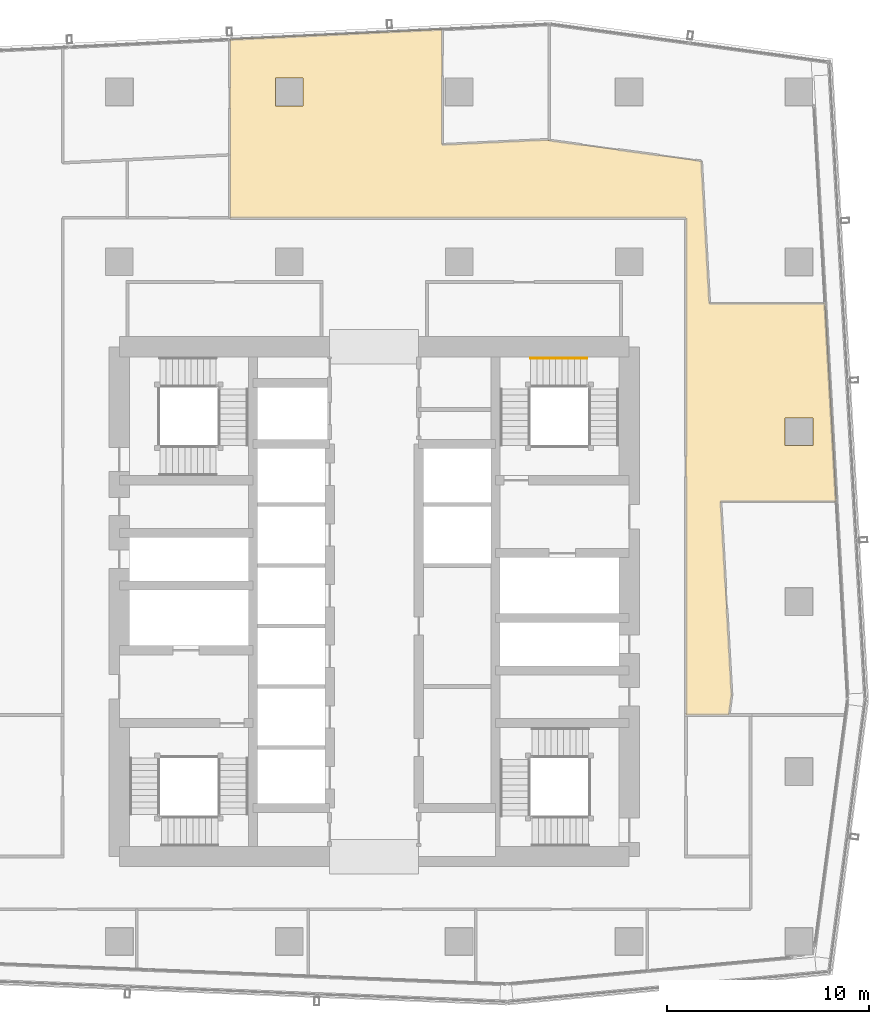
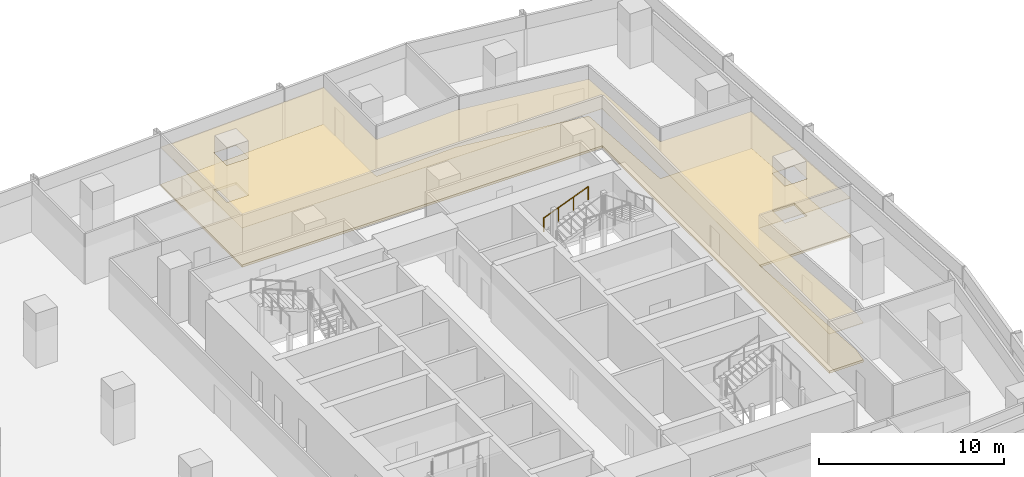
# One storey, part 38 of 40: 2 coverings, 1 railing.
"""IFC4 building model written with IfcOpenShell, lengths in metres."""

from ifc_helpers import new_model, si_unit, direction, frame, origin, origin_2d, place, context, subcontext, project, spatial, polyline, circle, outline, extrude, material, layer, layer_set, type_object, element, save


model = new_model("IFC4")

# Units and contexts
model_context = context("Model", 3, precision=1e-05, world=origin(), true_north=direction((0.0, 1.0)))
body_context = subcontext(model_context, "Body", "Model", "MODEL_VIEW")
ifc_project = project(units=[si_unit("LENGTHUNIT", "METRE"), si_unit("AREAUNIT", "SQUARE_METRE"), si_unit("VOLUMEUNIT", "CUBIC_METRE"), si_unit("PLANEANGLEUNIT", "RADIAN"), si_unit("MASSUNIT", "GRAM", prefix="KILO")], contexts=[model_context])

# Site, building, storey
site_placement = place(None, origin())
site = spatial("IfcSite", under=ifc_project, at=site_placement, CompositionType="ELEMENT")
building_placement = place(site_placement, origin())
building = spatial("IfcBuilding", under=site, at=building_placement, Name="Rekha Terrace Tower", CompositionType="ELEMENT")
storey_placement = place(building_placement, frame((0.0, 0.0, 210.199951171875)))
storey = spatial("IfcBuildingStorey", under=building, at=storey_placement, Name="L53", CompositionType="ELEMENT", Elevation=210.199951171875)

# Covering
ifc_material_1 = material(Name="Mineral fibre tile in exposed grid", Category="finish")
ifc_layer_1 = layer(ifc_material_1, 0.02001953125)
ifc_layer_set_1 = layer_set([ifc_layer_1], Name="Mineral fibre tile in exposed grid")
covering_type_1 = type_object("IfcCoveringType", Name="CL1 600x1200 office grid ceiling", PredefinedType="CEILING", material=ifc_layer_set_1)
covering_1_placement = place(storey_placement, frame((0.0, 0.0, 2.580078125)))
element("IfcCovering", 1, at=covering_1_placement, inside=storey, type_object=covering_type_1, Name="Ceiling L53-O1", PredefinedType="CEILING", context=body_context, shape_type="SweptSolid", body=[
    extrude(outline(polyline([(46.22900390625, 56.430908203125), (41.152099609375, 56.18798828125), (41.152099609375, 61.89404296875), (30.660888671875, 61.39306640625), (30.660888671875, 52.574951171875), (53.199951171875, 52.574951171875), (53.199951171875, 28.0009765625), (55.3330078125, 28.0009765625), (55.465087890625, 28.9951171875), (54.922119140625, 38.554931640625), (60.631103515625, 38.554931640625), (60.075927734375, 48.33203125), (54.366943359375, 48.33203125), (53.967041015625, 55.3779296875), (46.444091796875, 56.40087890625), (46.22900390625, 56.430908203125)]), holes=[polyline([(59.489990234375, 41.31005859375), (58.110107421875, 41.31005859375), (58.110107421875, 42.68994140625), (59.489990234375, 42.68994140625), (59.489990234375, 41.31005859375)]), polyline([(34.2900390625, 58.110107421875), (32.909912109375, 58.110107421875), (32.909912109375, 59.489990234375), (34.2900390625, 59.489990234375), (34.2900390625, 58.110107421875)])]), origin(), (0.0, 0.0, 1.0), 0.02001953125),
])

# Railing
ifc_material_2 = material(Name="Stainless steel tube", Category="steel")
railing_type = type_object("IfcRailingType", Name="HR1 900 stair handrail", PredefinedType="HANDRAIL", material=ifc_material_2)
railing_placement = place(storey_placement, frame((45.52490234375, 45.639892578125, 1.375)))
element("IfcRailing", 2, at=railing_placement, inside=storey, type_object=railing_type, Name="Handrail ST2 L53 flight 2", PredefinedType="HANDRAIL", context=body_context, shape_type="SweptSolid", body=[
    extrude(circle(Radius=0.02392578125, at=origin_2d()), frame((0.0, 0.0, 0.8759765625), z_axis=(0.927443287984, 0.0, 0.373963831907), x_axis=(0.0, 1.0, 0.0)), (0.0, 0.0, 1.0), 3.00830078125),
    extrude(circle(Radius=0.02099609375, at=origin_2d()), origin(), (0.0, 0.0, 1.0), 0.851806640625),
    extrude(circle(Radius=0.02099609375, at=origin_2d()), frame((0.929931640625, 0.0, 0.375)), (0.0, 0.0, 1.0), 0.851806640625),
    extrude(circle(Radius=0.02099609375, at=origin_2d()), frame((1.860107421875, 0.0, 0.75)), (0.0, 0.0, 1.0), 0.851806640625),
    extrude(circle(Radius=0.02099609375, at=origin_2d()), frame((2.7900390625, 0.0, 1.125)), (0.0, 0.0, 1.0), 0.851806640625),
])

# Covering
ifc_material_3 = material(Name="Calcium sulphate panels on steel pedestals", Category="steel")
ifc_layer_2 = layer(ifc_material_3, 0.14990234375)
ifc_layer_set_2 = layer_set([ifc_layer_2], Name="Calcium sulphate panels on steel pedestals")
covering_type_2 = type_object("IfcCoveringType", Name="RF1 150 raised access floor", PredefinedType="FLOORING", material=ifc_layer_set_2)
covering_2_placement = place(storey_placement, origin())
element("IfcCovering", 3, at=covering_2_placement, inside=storey, type_object=covering_type_2, Name="Raised floor L53-O1", PredefinedType="FLOORING", context=body_context, shape_type="SweptSolid", body=[
    extrude(outline(polyline([(46.22900390625, 56.430908203125), (41.152099609375, 56.18798828125), (41.152099609375, 61.89404296875), (30.660888671875, 61.39306640625), (30.660888671875, 52.574951171875), (53.199951171875, 52.574951171875), (53.199951171875, 28.0009765625), (55.3330078125, 28.0009765625), (55.465087890625, 28.9951171875), (54.922119140625, 38.554931640625), (60.631103515625, 38.554931640625), (60.075927734375, 48.33203125), (54.366943359375, 48.33203125), (53.967041015625, 55.3779296875), (46.444091796875, 56.40087890625), (46.22900390625, 56.430908203125)]), holes=[polyline([(59.489990234375, 41.31005859375), (58.110107421875, 41.31005859375), (58.110107421875, 42.68994140625), (59.489990234375, 42.68994140625), (59.489990234375, 41.31005859375)]), polyline([(34.2900390625, 58.110107421875), (32.909912109375, 58.110107421875), (32.909912109375, 59.489990234375), (34.2900390625, 59.489990234375), (34.2900390625, 58.110107421875)])]), origin(), (0.0, 0.0, 1.0), 0.150146484375),
])

save(model, "model.ifc")
